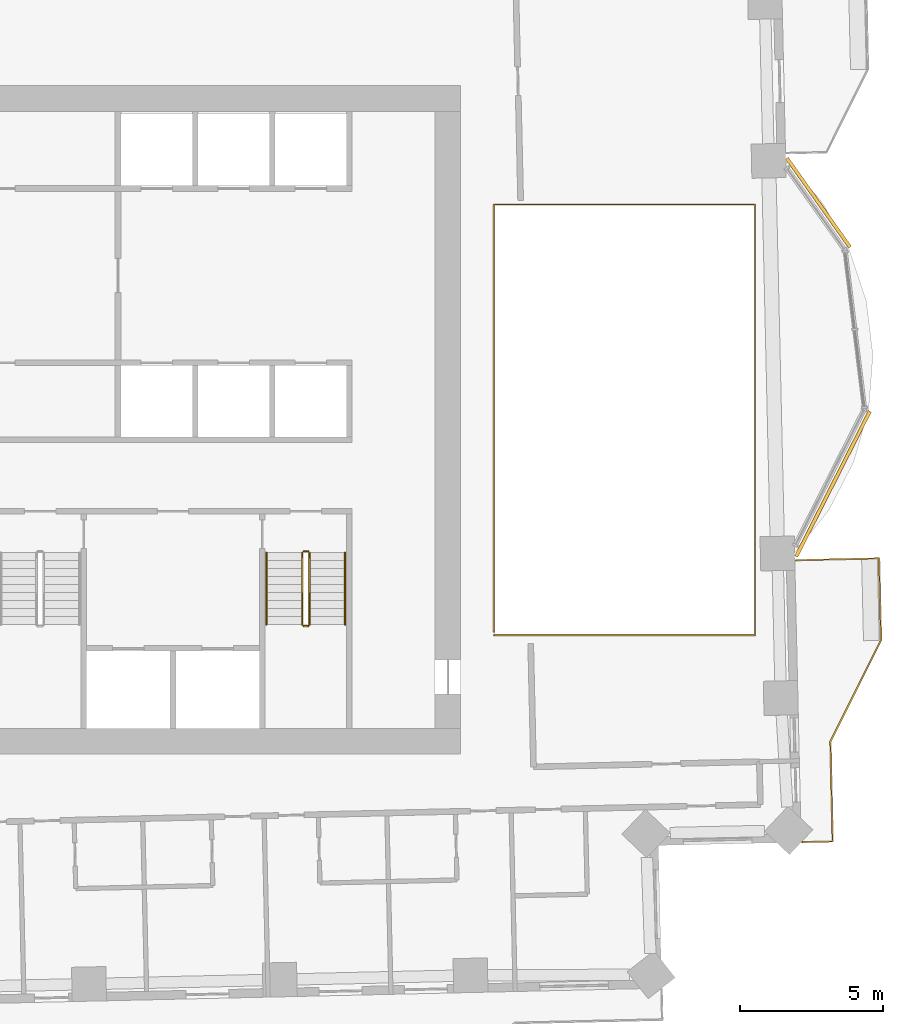
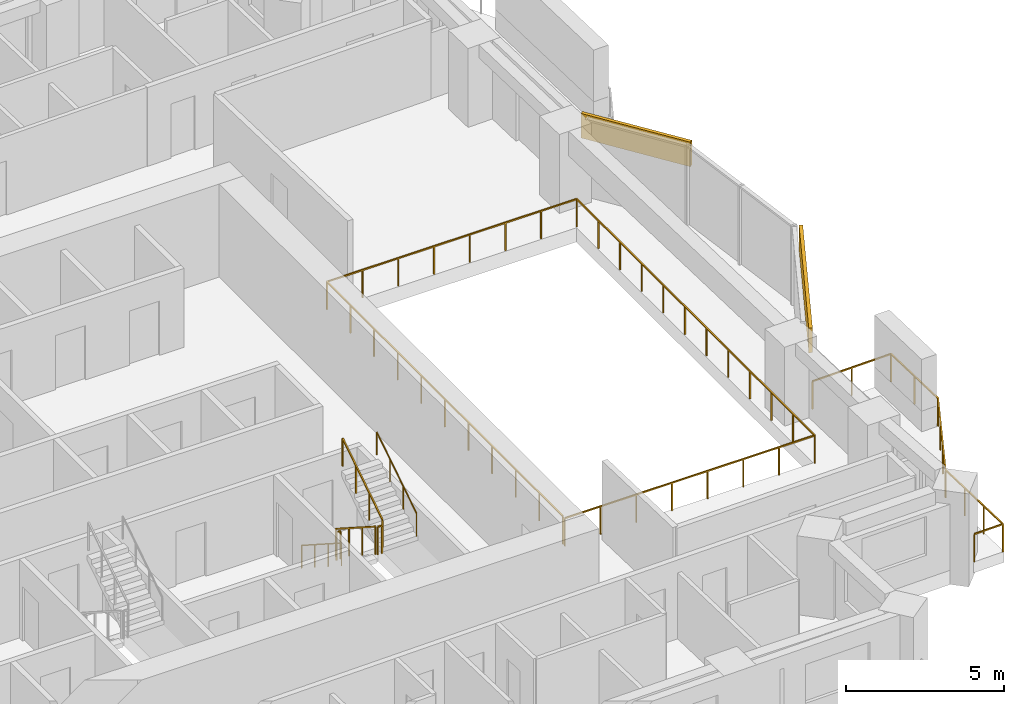
# One storey, part 15 of 16: 8 railings, 2 coverings.
"""IFC4 building model written with IfcOpenShell, lengths in metres."""

from ifc_helpers import new_model, si_unit, direction, frame, frame_2d, origin, origin_2d, place, context, subcontext, project, spatial, rectangle, circle, extrude, material, layer, layer_set, type_object, element, save


model = new_model("IFC4")

# Units and contexts
model_context = context("Model", 3, precision=1e-05, world=origin(), true_north=direction((0.0, 1.0)))
body_context = subcontext(model_context, "Body", "Model", "MODEL_VIEW")
ifc_project = project(units=[si_unit("LENGTHUNIT", "METRE"), si_unit("AREAUNIT", "SQUARE_METRE"), si_unit("VOLUMEUNIT", "CUBIC_METRE"), si_unit("PLANEANGLEUNIT", "RADIAN"), si_unit("MASSUNIT", "GRAM", prefix="KILO")], contexts=[model_context])

# Site, building, storey
site_placement = place(None, origin())
site = spatial("IfcSite", under=ifc_project, at=site_placement, CompositionType="ELEMENT")
building_placement = place(site_placement, origin())
building = spatial("IfcBuilding", under=site, at=building_placement, Name="Mangrove Gate Tower", CompositionType="ELEMENT")
storey_placement = place(building_placement, frame((0.0, 0.0, 178.89990234375)))
storey = spatial("IfcBuildingStorey", under=building, at=storey_placement, Name="L45", CompositionType="ELEMENT", Elevation=178.89990234375)

# Railings
ifc_material_1 = material(Name="Stainless steel grade 316 with laminated glass infill", Category="steel")
railing_type_1 = type_object("IfcRailingType", Name="Balcony guard 1100", PredefinedType="GUARDRAIL", material=ifc_material_1)
railing_1_placement = place(storey_placement, frame((26.658935546875, -14.785888671875, 0.0)))
element("IfcRailing", 1, at=railing_1_placement, inside=storey, type_object=railing_type_1, Name="GUARD L45 E1", PredefinedType="GUARDRAIL", context=body_context, shape_type="SweptSolid", body=[
    extrude(rectangle(XDim=0.048095703125, YDim=0.048095703125, at=origin_2d()), frame((0.0, 0.0, 1.076171875), z_axis=(0.999745389313, 0.022564497502, 0.0), x_axis=(-0.022564497502, 0.999745389313, 0.0)), (0.0, 0.0, 1.0), 1.060302734375),
    extrude(rectangle(XDim=0.048095703125, YDim=0.048095703125, at=origin_2d()), frame((1.06005859375, 0.02392578125, 1.076171875), z_axis=(-0.022600979566, 0.999744565238, 0.0), x_axis=(-0.999744565238, -0.022600979566, 0.0)), (0.0, 0.0, 1.0), 3.5),
    extrude(rectangle(XDim=0.048095703125, YDim=0.048095703125, at=origin_2d()), frame((0.98095703125, 3.52294921875, 1.076171875), z_axis=(0.447114919141, 0.894476522376, 0.0), x_axis=(-0.894476522376, 0.447114919141, 0.0)), (0.0, 0.0, 1.0), 3.958740234375),
    extrude(rectangle(XDim=0.048095703125, YDim=0.048095703125, at=origin_2d()), frame((2.7509765625, 7.06396484375, 1.076171875), z_axis=(-0.022590224177, 0.999744808324, 0.0), x_axis=(-0.999744808324, -0.022590224177, 0.0)), (0.0, 0.0, 1.0), 2.874755859375),
    extrude(rectangle(XDim=0.048095703125, YDim=0.048095703125, at=origin_2d()), frame((2.68603515625, 9.93798828125, 1.076171875), z_axis=(-0.999749187329, -0.022395589648, 0.0), x_axis=(0.022395589648, -0.999749187329, 0.0)), (0.0, 0.0, 1.0), 2.91064453125),
    extrude(rectangle(XDim=0.0419921875, YDim=0.0419921875, at=origin_2d()), origin(), (0.0, 0.0, 1.0), 1.052001953125),
    extrude(rectangle(XDim=0.0419921875, YDim=0.0419921875, at=origin_2d()), frame((1.06005859375, 0.02392578125, 0.0)), (0.0, 0.0, 1.0), 1.052001953125),
    extrude(rectangle(XDim=0.0419921875, YDim=0.0419921875, at=origin_2d()), frame((1.03369140625, 1.190185546875, 0.0)), (0.0, 0.0, 1.0), 1.052001953125),
    extrude(rectangle(XDim=0.0419921875, YDim=0.0419921875, at=origin_2d()), frame((1.00732421875, 2.356689453125, 0.0)), (0.0, 0.0, 1.0), 1.052001953125),
    extrude(rectangle(XDim=0.0419921875, YDim=0.0419921875, at=origin_2d()), frame((0.98095703125, 3.52294921875, 0.0)), (0.0, 0.0, 1.0), 1.052001953125),
    extrude(rectangle(XDim=0.0419921875, YDim=0.0419921875, at=origin_2d()), frame((1.571044921875, 4.703369140625, 0.0)), (0.0, 0.0, 1.0), 1.052001953125),
    extrude(rectangle(XDim=0.0419921875, YDim=0.0419921875, at=origin_2d()), frame((2.160888671875, 5.883544921875, 0.0)), (0.0, 0.0, 1.0), 1.052001953125),
    extrude(rectangle(XDim=0.0419921875, YDim=0.0419921875, at=origin_2d()), frame((2.7509765625, 7.06396484375, 0.0)), (0.0, 0.0, 1.0), 1.052001953125),
    extrude(rectangle(XDim=0.0419921875, YDim=0.0419921875, at=origin_2d()), frame((2.718505859375, 8.5009765625, 0.0)), (0.0, 0.0, 1.0), 1.052001953125),
    extrude(rectangle(XDim=0.0419921875, YDim=0.0419921875, at=origin_2d()), frame((2.68603515625, 9.93798828125, 0.0)), (0.0, 0.0, 1.0), 1.052001953125),
    extrude(rectangle(XDim=0.0419921875, YDim=0.0419921875, at=origin_2d()), frame((1.23095703125, 9.9052734375, 0.0)), (0.0, 0.0, 1.0), 1.052001953125),
    extrude(rectangle(XDim=0.0419921875, YDim=0.0419921875, at=origin_2d()), frame((-0.223876953125, 9.872802734375, 0.0)), (0.0, 0.0, 1.0), 1.052001953125),
])
railing_2_placement = place(storey_placement, frame((15.860107421875, -7.5400390625, 0.0)))
element("IfcRailing", 2, at=railing_2_placement, inside=storey, type_object=railing_type_1, Name="GUARD L45 atrium", PredefinedType="GUARDRAIL", context=body_context, shape_type="SweptSolid", body=[
    extrude(rectangle(XDim=0.048095703125, YDim=0.048095703125, at=origin_2d()), frame((0.0, 0.0, 1.076171875), z_axis=(1.0, 0.0, 0.0), x_axis=(0.0, 1.0, 0.0)), (0.0, 0.0, 1.0), 9.143798828125),
    extrude(rectangle(XDim=0.048095703125, YDim=0.048095703125, at=origin_2d()), frame((9.143798828125, 0.0, 1.076171875), z_axis=(0.0, 1.0, 0.0), x_axis=(-1.0, 0.0, 0.0)), (0.0, 0.0, 1.0), 15.080078125),
    extrude(rectangle(XDim=0.048095703125, YDim=0.048095703125, at=origin_2d()), frame((9.143798828125, 15.080078125, 1.076171875), z_axis=(-1.0, 0.0, 0.0), x_axis=(0.0, -1.0, 0.0)), (0.0, 0.0, 1.0), 9.143798828125),
    extrude(rectangle(XDim=0.048095703125, YDim=0.048095703125, at=origin_2d()), frame((0.0, 15.080078125, 1.076171875), z_axis=(0.0, -1.0, 0.0), x_axis=(1.0, 0.0, 0.0)), (0.0, 0.0, 1.0), 14.9599609375),
    extrude(rectangle(XDim=0.0419921875, YDim=0.0419921875, at=origin_2d()), origin(), (0.0, 0.0, 1.0), 1.052001953125),
    extrude(rectangle(XDim=0.0419921875, YDim=0.0419921875, at=origin_2d()), frame((1.30615234375, 0.0, 0.0)), (0.0, 0.0, 1.0), 1.052001953125),
    extrude(rectangle(XDim=0.0419921875, YDim=0.0419921875, at=origin_2d()), frame((2.612548828125, 0.0, 0.0)), (0.0, 0.0, 1.0), 1.052001953125),
    extrude(rectangle(XDim=0.0419921875, YDim=0.0419921875, at=origin_2d()), frame((3.918701171875, 0.0, 0.0)), (0.0, 0.0, 1.0), 1.052001953125),
    extrude(rectangle(XDim=0.0419921875, YDim=0.0419921875, at=origin_2d()), frame((5.22509765625, 0.0, 0.0)), (0.0, 0.0, 1.0), 1.052001953125),
    extrude(rectangle(XDim=0.0419921875, YDim=0.0419921875, at=origin_2d()), frame((6.53125, 0.0, 0.0)), (0.0, 0.0, 1.0), 1.052001953125),
    extrude(rectangle(XDim=0.0419921875, YDim=0.0419921875, at=origin_2d()), frame((7.837646484375, 0.0, 0.0)), (0.0, 0.0, 1.0), 1.052001953125),
    extrude(rectangle(XDim=0.0419921875, YDim=0.0419921875, at=origin_2d()), frame((9.143798828125, 0.0, 0.0)), (0.0, 0.0, 1.0), 1.052001953125),
    extrude(rectangle(XDim=0.0419921875, YDim=0.0419921875, at=origin_2d()), frame((9.143798828125, 1.370849609375, 0.0)), (0.0, 0.0, 1.0), 1.052001953125),
    extrude(rectangle(XDim=0.0419921875, YDim=0.0419921875, at=origin_2d()), frame((9.143798828125, 2.741943359375, 0.0)), (0.0, 0.0, 1.0), 1.052001953125),
    extrude(rectangle(XDim=0.0419921875, YDim=0.0419921875, at=origin_2d()), frame((9.143798828125, 4.11279296875, 0.0)), (0.0, 0.0, 1.0), 1.052001953125),
    extrude(rectangle(XDim=0.0419921875, YDim=0.0419921875, at=origin_2d()), frame((9.143798828125, 5.483642578125, 0.0)), (0.0, 0.0, 1.0), 1.052001953125),
    extrude(rectangle(XDim=0.0419921875, YDim=0.0419921875, at=origin_2d()), frame((9.143798828125, 6.8544921875, 0.0)), (0.0, 0.0, 1.0), 1.052001953125),
    extrude(rectangle(XDim=0.0419921875, YDim=0.0419921875, at=origin_2d()), frame((9.143798828125, 8.2255859375, 0.0)), (0.0, 0.0, 1.0), 1.052001953125),
    extrude(rectangle(XDim=0.0419921875, YDim=0.0419921875, at=origin_2d()), frame((9.143798828125, 9.596435546875, 0.0)), (0.0, 0.0, 1.0), 1.052001953125),
    extrude(rectangle(XDim=0.0419921875, YDim=0.0419921875, at=origin_2d()), frame((9.143798828125, 10.96728515625, 0.0)), (0.0, 0.0, 1.0), 1.052001953125),
    extrude(rectangle(XDim=0.0419921875, YDim=0.0419921875, at=origin_2d()), frame((9.143798828125, 12.338134765625, 0.0)), (0.0, 0.0, 1.0), 1.052001953125),
    extrude(rectangle(XDim=0.0419921875, YDim=0.0419921875, at=origin_2d()), frame((9.143798828125, 13.709228515625, 0.0)), (0.0, 0.0, 1.0), 1.052001953125),
    extrude(rectangle(XDim=0.0419921875, YDim=0.0419921875, at=origin_2d()), frame((9.143798828125, 15.080078125, 0.0)), (0.0, 0.0, 1.0), 1.052001953125),
    extrude(rectangle(XDim=0.0419921875, YDim=0.0419921875, at=origin_2d()), frame((7.837646484375, 15.080078125, 0.0)), (0.0, 0.0, 1.0), 1.052001953125),
    extrude(rectangle(XDim=0.0419921875, YDim=0.0419921875, at=origin_2d()), frame((6.53125, 15.080078125, 0.0)), (0.0, 0.0, 1.0), 1.052001953125),
    extrude(rectangle(XDim=0.0419921875, YDim=0.0419921875, at=origin_2d()), frame((5.22509765625, 15.080078125, 0.0)), (0.0, 0.0, 1.0), 1.052001953125),
    extrude(rectangle(XDim=0.0419921875, YDim=0.0419921875, at=origin_2d()), frame((3.918701171875, 15.080078125, 0.0)), (0.0, 0.0, 1.0), 1.052001953125),
    extrude(rectangle(XDim=0.0419921875, YDim=0.0419921875, at=origin_2d()), frame((2.612548828125, 15.080078125, 0.0)), (0.0, 0.0, 1.0), 1.052001953125),
    extrude(rectangle(XDim=0.0419921875, YDim=0.0419921875, at=origin_2d()), frame((1.30615234375, 15.080078125, 0.0)), (0.0, 0.0, 1.0), 1.052001953125),
    extrude(rectangle(XDim=0.0419921875, YDim=0.0419921875, at=origin_2d()), frame((0.0, 15.080078125, 0.0)), (0.0, 0.0, 1.0), 1.052001953125),
    extrude(rectangle(XDim=0.0419921875, YDim=0.0419921875, at=origin_2d()), frame((0.0, 13.583984375, 0.0)), (0.0, 0.0, 1.0), 1.052001953125),
    extrude(rectangle(XDim=0.0419921875, YDim=0.0419921875, at=origin_2d()), frame((0.0, 12.088134765625, 0.0)), (0.0, 0.0, 1.0), 1.052001953125),
    extrude(rectangle(XDim=0.0419921875, YDim=0.0419921875, at=origin_2d()), frame((0.0, 10.592041015625, 0.0)), (0.0, 0.0, 1.0), 1.052001953125),
    extrude(rectangle(XDim=0.0419921875, YDim=0.0419921875, at=origin_2d()), frame((0.0, 9.09619140625, 0.0)), (0.0, 0.0, 1.0), 1.052001953125),
    extrude(rectangle(XDim=0.0419921875, YDim=0.0419921875, at=origin_2d()), frame((0.0, 7.60009765625, 0.0)), (0.0, 0.0, 1.0), 1.052001953125),
    extrude(rectangle(XDim=0.0419921875, YDim=0.0419921875, at=origin_2d()), frame((0.0, 6.10400390625, 0.0)), (0.0, 0.0, 1.0), 1.052001953125),
    extrude(rectangle(XDim=0.0419921875, YDim=0.0419921875, at=origin_2d()), frame((0.0, 4.608154296875, 0.0)), (0.0, 0.0, 1.0), 1.052001953125),
    extrude(rectangle(XDim=0.0419921875, YDim=0.0419921875, at=origin_2d()), frame((0.0, 3.112060546875, 0.0)), (0.0, 0.0, 1.0), 1.052001953125),
    extrude(rectangle(XDim=0.0419921875, YDim=0.0419921875, at=origin_2d()), frame((0.0, 1.6162109375, 0.0)), (0.0, 0.0, 1.0), 1.052001953125),
    extrude(rectangle(XDim=0.0419921875, YDim=0.0419921875, at=origin_2d()), frame((0.0, 0.1201171875, 0.0)), (0.0, 0.0, 1.0), 1.052001953125),
])
ifc_material_2 = material(Name="Stainless steel 316", Category="steel")
railing_type_2 = type_object("IfcRailingType", Name="Core stair guard 1100", PredefinedType="GUARDRAIL", material=ifc_material_2)
railing_3_placement = place(storey_placement, frame((9.14990234375, -4.64990234375, 0.18017578125)))
element("IfcRailing", 3, at=railing_3_placement, inside=storey, type_object=railing_type_2, Name="L45 ST3 stair guard 1", PredefinedType="GUARDRAIL", context=body_context, shape_type="SweptSolid", body=[
    extrude(rectangle(XDim=0.048095703125, YDim=0.048095703125, at=origin_2d()), frame((0.0, 0.0, 1.076171875), z_axis=(0.0, -0.841199657755, 0.540724639528), x_axis=(1.0, 0.0, 0.0)), (0.0, 0.0, 1.0), 2.995849609375),
    extrude(rectangle(XDim=0.0419921875, YDim=0.0419921875, at=origin_2d()), origin(), (0.0, 0.0, 1.0), 1.052001953125),
    extrude(rectangle(XDim=0.0419921875, YDim=0.0419921875, at=origin_2d()), frame((0.0, -0.840087890625, 0.5400390625)), (0.0, 0.0, 1.0), 1.052001953125),
    extrude(rectangle(XDim=0.0419921875, YDim=0.0419921875, at=origin_2d()), frame((0.0, -1.679931640625, 1.079833984375)), (0.0, 0.0, 1.0), 1.052001953125),
    extrude(rectangle(XDim=0.0419921875, YDim=0.0419921875, at=origin_2d()), frame((0.0, -2.52001953125, 1.619873046875)), (0.0, 0.0, 1.0), 1.052001953125),
])
railing_4_placement = place(storey_placement, frame((9.199951171875, -7.219970703125, 1.800048828125)))
element("IfcRailing", 4, at=railing_4_placement, inside=storey, type_object=railing_type_2, Name="L45 ST3 stair guard 2", PredefinedType="GUARDRAIL", context=body_context, shape_type="SweptSolid", body=[
    extrude(rectangle(XDim=0.048095703125, YDim=0.048095703125, at=origin_2d()), frame((0.0, 0.0, 1.076171875), z_axis=(1.0, 0.0, 0.0), x_axis=(0.0, 1.0, 0.0)), (0.0, 0.0, 1.0), 0.150146484375),
    extrude(rectangle(XDim=0.0419921875, YDim=0.0419921875, at=origin_2d()), origin(), (0.0, 0.0, 1.0), 1.052001953125),
    extrude(rectangle(XDim=0.0419921875, YDim=0.0419921875, at=origin_2d()), frame((0.150146484375, 0.0, 0.0)), (0.0, 0.0, 1.0), 1.052001953125),
])
railing_5_placement = place(storey_placement, frame((9.39990234375, -7.169921875, 1.97998046875)))
element("IfcRailing", 5, at=railing_5_placement, inside=storey, type_object=railing_type_2, Name="L45 ST3 stair guard 3", PredefinedType="GUARDRAIL", context=body_context, shape_type="SweptSolid", body=[
    extrude(rectangle(XDim=0.048095703125, YDim=0.048095703125, at=origin_2d()), frame((0.0, 0.0, 1.076171875), z_axis=(0.0, 0.841162588446, 0.540782303519), x_axis=(-1.0, 0.0, 0.0)), (0.0, 0.0, 1.0), 2.995849609375),
    extrude(rectangle(XDim=0.0419921875, YDim=0.0419921875, at=origin_2d()), origin(), (0.0, 0.0, 1.0), 1.052001953125),
    extrude(rectangle(XDim=0.0419921875, YDim=0.0419921875, at=origin_2d()), frame((0.0, 0.840087890625, 0.5400390625)), (0.0, 0.0, 1.0), 1.052001953125),
    extrude(rectangle(XDim=0.0419921875, YDim=0.0419921875, at=origin_2d()), frame((0.0, 1.679931640625, 1.080078125)), (0.0, 0.0, 1.0), 1.052001953125),
    extrude(rectangle(XDim=0.0419921875, YDim=0.0419921875, at=origin_2d()), frame((0.0, 2.52001953125, 1.6201171875)), (0.0, 0.0, 1.0), 1.052001953125),
])
railing_6_placement = place(storey_placement, frame((9.199951171875, -4.60009765625, 0.0)))
element("IfcRailing", 6, at=railing_6_placement, inside=storey, type_object=railing_type_2, Name="L45 ST3 stair guard 4", PredefinedType="GUARDRAIL", context=body_context, shape_type="SweptSolid", body=[
    extrude(rectangle(XDim=0.048095703125, YDim=0.048095703125, at=origin_2d()), frame((0.0, 0.0, 1.076171875), z_axis=(1.0, 0.0, 0.0), x_axis=(0.0, 1.0, 0.0)), (0.0, 0.0, 1.0), 0.150146484375),
    extrude(rectangle(XDim=0.0419921875, YDim=0.0419921875, at=origin_2d()), origin(), (0.0, 0.0, 1.0), 1.052001953125),
    extrude(rectangle(XDim=0.0419921875, YDim=0.0419921875, at=origin_2d()), frame((0.150146484375, 0.0, 0.0)), (0.0, 0.0, 1.0), 1.052001953125),
])
ifc_material_3 = material(Name="Stainless steel 316", Category="steel")
railing_type_3 = type_object("IfcRailingType", Name="Core stair handrail 900", PredefinedType="HANDRAIL", material=ifc_material_3)
railing_7_placement = place(storey_placement, frame((7.89990234375, -4.64990234375, 0.18017578125)))
element("IfcRailing", 7, at=railing_7_placement, inside=storey, type_object=railing_type_3, Name="L45 ST3 stair handrail 1", PredefinedType="HANDRAIL", context=body_context, shape_type="SweptSolid", body=[
    extrude(circle(Radius=0.02392578125, at=origin_2d()), frame((0.0, 0.0, 0.8759765625), z_axis=(0.0, -0.841199657755, 0.540724639528), x_axis=(1.0, 0.0, 0.0)), (0.0, 0.0, 1.0), 2.995849609375),
    extrude(circle(Radius=0.02099609375, at=origin_2d()), origin(), (0.0, 0.0, 1.0), 0.851806640625),
    extrude(circle(Radius=0.02099609375, at=origin_2d()), frame((0.0, -0.840087890625, 0.5400390625)), (0.0, 0.0, 1.0), 0.851806640625),
    extrude(circle(Radius=0.02099609375, at=origin_2d()), frame((0.0, -1.679931640625, 1.079833984375)), (0.0, 0.0, 1.0), 0.851806640625),
    extrude(circle(Radius=0.02099609375, at=origin_2d()), frame((0.0, -2.52001953125, 1.619873046875)), (0.0, 0.0, 1.0), 0.851806640625),
])
railing_8_placement = place(storey_placement, frame((10.64990234375, -7.169921875, 1.97998046875)))
element("IfcRailing", 8, at=railing_8_placement, inside=storey, type_object=railing_type_3, Name="L45 ST3 stair handrail 2", PredefinedType="HANDRAIL", context=body_context, shape_type="SweptSolid", body=[
    extrude(circle(Radius=0.02392578125, at=origin_2d()), frame((0.0, 0.0, 0.8759765625), z_axis=(0.0, 0.841162588446, 0.540782303519), x_axis=(-1.0, 0.0, 0.0)), (0.0, 0.0, 1.0), 2.995849609375),
    extrude(circle(Radius=0.02099609375, at=origin_2d()), origin(), (0.0, 0.0, 1.0), 0.851806640625),
    extrude(circle(Radius=0.02099609375, at=origin_2d()), frame((0.0, 0.840087890625, 0.5400390625)), (0.0, 0.0, 1.0), 0.851806640625),
    extrude(circle(Radius=0.02099609375, at=origin_2d()), frame((0.0, 1.679931640625, 1.080078125)), (0.0, 0.0, 1.0), 0.851806640625),
    extrude(circle(Radius=0.02099609375, at=origin_2d()), frame((0.0, 2.52001953125, 1.6201171875)), (0.0, 0.0, 1.0), 0.851806640625),
])

# Coverings
ifc_material_4 = material(Name="Limestone", Category="masonry")
ifc_layer_1 = layer(ifc_material_4, 0.0400390625, Name="Limestone cladding")
ifc_material_5 = material(Name="Stainless steel anchors and cavity", Category="steel")
ifc_layer_2 = layer(ifc_material_5, 0.080078125, Name="Fixing cavity")
ifc_layer_set = layer_set([ifc_layer_1, ifc_layer_2], Name="Joint fascia cladding 120")
covering_type = type_object("IfcCoveringType", Name="Joint fascia cladding 120", PredefinedType="CLADDING", material=ifc_layer_set)
covering_1_placement = place(storey_placement, frame((26.4423828125, -4.788330078125, 2.10009765625), z_axis=(0.0, 0.0, 1.0), x_axis=(0.452512280568, 0.891758171219, 0.0)))
element("IfcCovering", 9, at=covering_1_placement, inside=storey, type_object=covering_type, Name="STONE FASCIA L45 E1.L1", PredefinedType="CLADDING", context=body_context, shape_type="SweptSolid", body=[
    extrude(rectangle(XDim=5.704833984375, YDim=0.1201171875, at=frame_2d((2.8525390625, 0.0))), origin(), (0.0, 0.0, 1.0), 0.949951171875),
])
covering_2_placement = place(storey_placement, frame((28.327880859375, 6.047119140625, 2.10009765625), z_axis=(0.0, 0.0, 1.0), x_axis=(-0.578125537526, 0.815947830968, 0.0)))
element("IfcCovering", 10, at=covering_2_placement, inside=storey, type_object=covering_type, Name="STONE FASCIA L45 E1.L2", PredefinedType="CLADDING", context=body_context, shape_type="SweptSolid", body=[
    extrude(rectangle(XDim=3.81884765625, YDim=0.1201171875, at=frame_2d((1.909423828125, 0.0))), origin(), (0.0, 0.0, 1.0), 0.949951171875),
])

save(model, "model.ifc")
